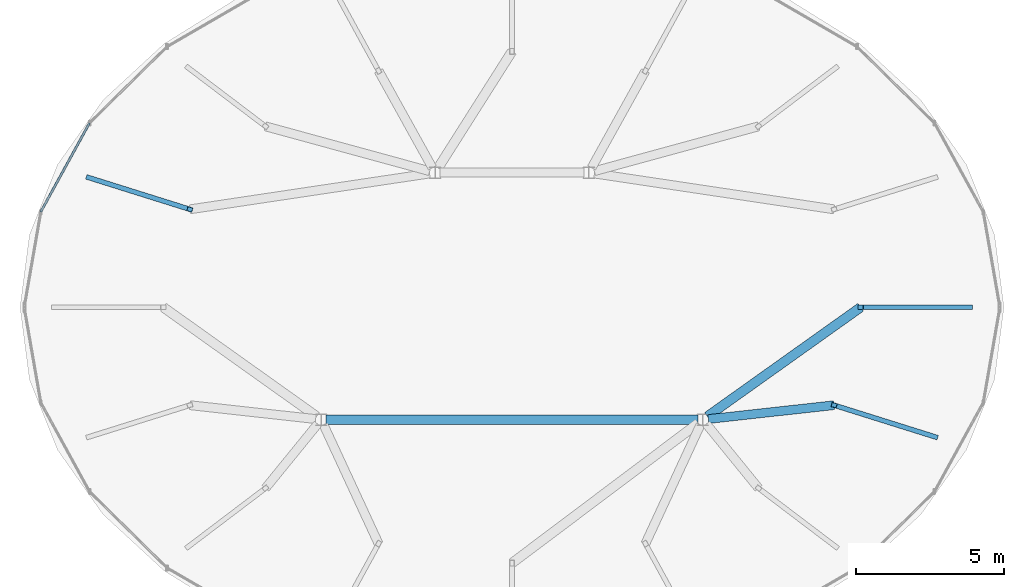
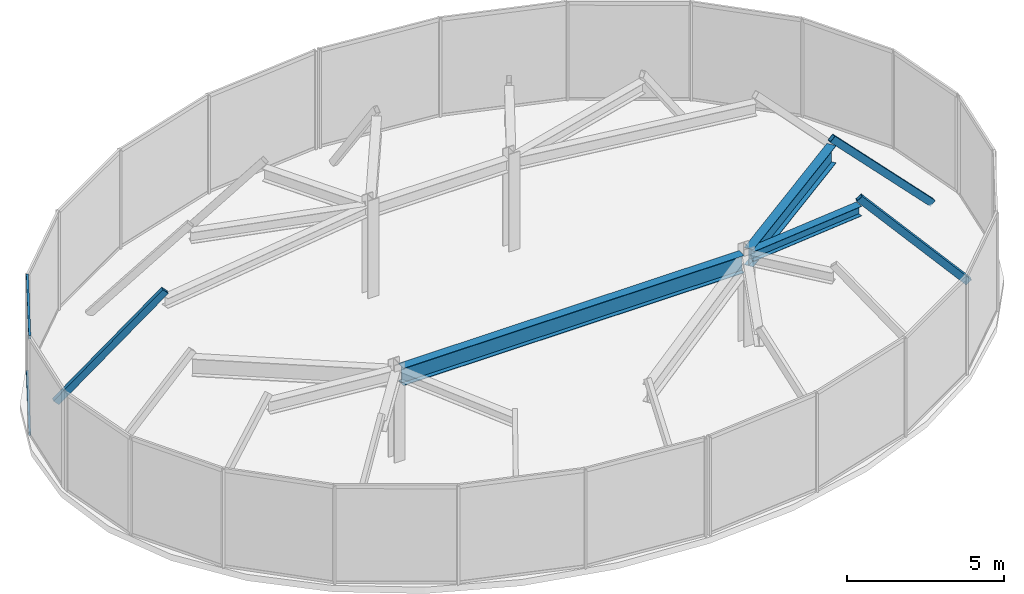
# One storey, part 7 of 13: 5 members, 3 beams, 1 element without a shape of its own.
"""IFC4 building model written with IfcOpenShell, lengths in metres."""

import ifcopenshell
import ifcopenshell.guid

model = None  # the IFC model being written
_history = None  # IfcOwnerHistory: only IFC2X3 demands one
_inside = {}  # id of a spatial element -> (the spatial element, [elements in it])
_under = {}  # id of a project, library or spatial element -> (it, [spatial elements below it])
_declared = {}  # id of a project -> (the project, [libraries it declares])
_typed = {}  # id of a type object -> (the type object, [elements of that type])
_made_of = {}  # id of a material, layer set ... -> (it, [elements and type objects made of it])


def new_model(schema):
    """Start an empty IFC model of exactly this schema.

    Asked for "IFC4X3", IfcOpenShell would pick the latest addendum, in which some entities
    have other attributes; the version numbers below select the first issue.
    IFC2X3 requires an IfcOwnerHistory on every rooted entity: one is made here for all.
    """
    global model, _history
    if schema == "IFC4X3":
        model = ifcopenshell.file(schema_version=(4, 3, 0, 0))
    else:
        model = ifcopenshell.file(schema=schema)
    _inside.clear()
    _under.clear()
    _declared.clear()
    _typed.clear()
    _made_of.clear()
    _history = None
    if model.schema == "IFC2X3":
        org = make("IfcOrganization", Name="unknown")
        user = make(
            "IfcPersonAndOrganization",
            ThePerson=make("IfcPerson", FamilyName="unknown"),
            TheOrganization=org,
        )
        app = make(
            "IfcApplication",
            ApplicationDeveloper=org,
            Version="unknown",
            ApplicationFullName="unknown",
            ApplicationIdentifier="unknown",
        )
        _history = make(
            "IfcOwnerHistory",
            OwningUser=user,
            OwningApplication=app,
            ChangeAction="ADDED",
            CreationDate=0,
        )
    return model


def make(cls, **values):
    """One entity of the class cls with the attributes given. An attribute that is None is left unset."""
    return model.create_entity(
        cls, **{name: value for name, value in values.items() if value is not None}
    )


def rooted(cls, **values):
    """An entity with a GlobalId (a new one), such as an element, a storey or a relation."""
    return make(cls, GlobalId=ifcopenshell.guid.new(), OwnerHistory=_history, **values)


def si_unit(unit_type, name, prefix=None):
    """IfcSIUnit, for example si_unit("LENGTHUNIT", "METRE", prefix="MILLI")."""
    return make("IfcSIUnit", UnitType=unit_type, Prefix=prefix, Name=name)


def assignment(units):
    """IfcUnitAssignment: the units of a project."""
    return None if units is None else make("IfcUnitAssignment", Units=units)


def point(xyz):
    """IfcCartesianPoint."""
    return None if xyz is None else make("IfcCartesianPoint", Coordinates=xyz)


def direction(xyz):
    """IfcDirection."""
    return None if xyz is None else make("IfcDirection", DirectionRatios=xyz)


def frame(location, z_axis=None, x_axis=None):
    """IfcAxis2Placement3D, a coordinate frame: its origin and axes. An axis left out is left unset."""
    return make(
        "IfcAxis2Placement3D",
        Location=point(location),
        Axis=direction(z_axis),
        RefDirection=direction(x_axis),
    )


def frame_2d(location, x_axis=None):
    """IfcAxis2Placement2D, a coordinate frame in the plane: its origin and x axis."""
    return make(
        "IfcAxis2Placement2D", Location=point(location), RefDirection=direction(x_axis)
    )


def origin():
    """The frame at (0, 0, 0) with its axes left unset."""
    return frame((0.0, 0.0, 0.0))


def origin_2d():
    """The frame at (0, 0) in the plane with its x axis left unset."""
    return frame_2d((0.0, 0.0))


def place(relative_to, where):
    """IfcLocalPlacement: puts the frame where relative to a parent placement (None: the world)."""
    return make(
        "IfcLocalPlacement", PlacementRelTo=relative_to, RelativePlacement=where
    )


def context(
    kind, dimensions, precision=None, world=None, true_north=None, identifier=None
):
    """IfcGeometricRepresentationContext, for example the 3D "Model" context."""
    return make(
        "IfcGeometricRepresentationContext",
        ContextIdentifier=identifier,
        ContextType=kind,
        CoordinateSpaceDimension=dimensions,
        Precision=precision,
        WorldCoordinateSystem=world,
        TrueNorth=true_north,
    )


def subcontext(parent, identifier, kind, view, scale=None):
    """IfcGeometricRepresentationSubContext, for example "Body" below "Model"."""
    return make(
        "IfcGeometricRepresentationSubContext",
        ContextIdentifier=identifier,
        ContextType=kind,
        ParentContext=parent,
        TargetScale=scale,
        TargetView=view,
    )


def project(units=None, contexts=None):
    """IfcProject with its units and contexts."""
    return rooted(
        "IfcProject",
        Name="project",
        RepresentationContexts=contexts,
        UnitsInContext=assignment(units),
    )


def spatial(cls, under=None, at=None, **own):
    """A site, building, storey or space (cls), placed at a placement, below another one or the project."""
    s = rooted(cls, ObjectPlacement=at, **own)
    if under is not None:
        _under.setdefault(under.id(), (under, []))[1].append(s)
    return s


def profile(cls, at=None, kind="AREA", **sizes):
    """A parametric profile (cls). Its sizes go by their IFC names, for example OverallWidth=200.0."""
    return make(cls, ProfileType=kind, Position=at, **sizes)


def hollow_rectangle(**sizes):
    """IfcRectangleHollowProfileDef."""
    return profile("IfcRectangleHollowProfileDef", **sizes)


def i_section(**sizes):
    """IfcIShapeProfileDef."""
    return profile("IfcIShapeProfileDef", **sizes)


def extrude(swept, where, along, depth):
    """IfcExtrudedAreaSolid: the profile swept, set in the frame where, extruded along a direction by depth."""
    return make(
        "IfcExtrudedAreaSolid",
        SweptArea=swept,
        Position=where,
        ExtrudedDirection=direction(along),
        Depth=depth,
    )


def shape(context_of_items, identifier, shape_type, items):
    """IfcShapeRepresentation: the items that make up one representation, for example the "Body"."""
    return make(
        "IfcShapeRepresentation",
        ContextOfItems=context_of_items,
        RepresentationIdentifier=identifier,
        RepresentationType=shape_type,
        Items=items,
    )


def material(Name=None, Category=None):
    """IfcMaterial."""
    return make("IfcMaterial", Name=Name, Category=Category)


def material_profile(
    of_material, cross_section, Name=None, Category=None, Priority=None
):
    """IfcMaterialProfile: a cross section and its material."""
    return make(
        "IfcMaterialProfile",
        Name=Name,
        Material=of_material,
        Profile=cross_section,
        Priority=Priority,
        Category=Category,
    )


def profile_set(profiles, Name=None, composite=None):
    """IfcMaterialProfileSet."""
    return make(
        "IfcMaterialProfileSet",
        Name=Name,
        MaterialProfiles=profiles,
        CompositeProfile=composite,
    )


def made_of(thing, what):
    """Note that an element or type object is made of a material, layer set ...; save() writes the relation."""
    if what is not None:
        _made_of.setdefault(what.id(), (what, []))[1].append(thing)
    return thing


def type_object(cls, material=None, **own):
    """A type object (cls), such as IfcWallType, which elements share."""
    return made_of(rooted(cls, **own), material)


def element(
    cls,
    number,
    at=None,
    inside=None,
    cuts=None,
    type_object=None,
    material=None,
    context=None,
    identifier="Body",
    shape_type=None,
    held_by="IfcProductDefinitionShape",
    body=None,
    shapes=None,
    **own,
):
    """One element of the class cls, such as IfcWall. Its Tag is "e" and its number.

    at: its placement. inside: the storey or other place that contains it. cuts: it is an
    opening in that element (IfcRelVoidsElement). A single representation is given by context,
    identifier, shape_type and body (its items); several are given by shapes. held_by: the class
    of the entity that holds the representations. save() writes the other relations.
    """
    e = rooted(cls, Tag="e%d" % number, ObjectPlacement=at, **own)
    if body is not None:
        shapes = [shape(context, identifier, shape_type, body)]
    if shapes is not None:
        e.Representation = make(held_by, Representations=shapes)
    if inside is not None:
        _inside.setdefault(inside.id(), (inside, []))[1].append(e)
    if cuts is not None:
        rooted(
            "IfcRelVoidsElement", RelatingBuildingElement=cuts, RelatedOpeningElement=e
        )
    if type_object is not None:
        _typed.setdefault(type_object.id(), (type_object, []))[1].append(e)
    return made_of(e, material)


def aggregate(whole, parts):
    """IfcRelAggregates: a whole, such as a stair, and the parts it consists of."""
    return rooted("IfcRelAggregates", RelatingObject=whole, RelatedObjects=parts)


def save(model, path):
    """Write the relations noted so far, then the file.

    IfcRelAggregates (storeys below a building ...), IfcRelContainedInSpatialStructure (elements
    in a storey), IfcRelDefinesByType, IfcRelAssociatesMaterial and IfcRelDeclares: one each for
    every whole, place, type object, material and project.
    """
    for whole, parts in _under.values():
        aggregate(whole, parts)
    for where, things in _inside.values():
        rooted(
            "IfcRelContainedInSpatialStructure",
            RelatedElements=things,
            RelatingStructure=where,
        )
    for kind, things in _typed.values():
        rooted("IfcRelDefinesByType", RelatedObjects=things, RelatingType=kind)
    for what, things in _made_of.values():
        rooted("IfcRelAssociatesMaterial", RelatedObjects=things, RelatingMaterial=what)
    for by, libraries in _declared.values():
        rooted("IfcRelDeclares", RelatingContext=by, RelatedDefinitions=libraries)
    model.write(path)


model = new_model("IFC4")

# Units and contexts
model_context = context("Model", 3, precision=1e-05, world=origin(), true_north=direction((0.0, 1.0)))
body_context = subcontext(model_context, "Body", "Model", "MODEL_VIEW")
ifc_project = project(units=[si_unit("LENGTHUNIT", "METRE"), si_unit("AREAUNIT", "SQUARE_METRE"), si_unit("VOLUMEUNIT", "CUBIC_METRE"), si_unit("PLANEANGLEUNIT", "RADIAN"), si_unit("MASSUNIT", "GRAM", prefix="KILO")], contexts=[model_context])

# Site, building, storey
site_placement = place(None, origin())
site = spatial("IfcSite", under=ifc_project, at=site_placement, CompositionType="ELEMENT")
building_placement = place(site_placement, origin())
building = spatial("IfcBuilding", under=site, at=building_placement, Name="Vorneva Point Tower", CompositionType="ELEMENT")
storey_placement = place(building_placement, frame((0.0, 0.0, 303.0)))
storey = spatial("IfcBuildingStorey", under=building, at=storey_placement, Name="C03", CompositionType="ELEMENT", Elevation=303.0)

# Beams
ifc_material_1 = material(Name="Steel S355", Category="steel")
ifc_material_profile_1 = material_profile(ifc_material_1, i_section(OverallWidth=0.299072265625, OverallDepth=0.383056640625, WebThickness=0.009521484375, FlangeThickness=0.012451171875, at=origin_2d()), Name="40Sh1")
ifc_profile_set_1 = profile_set([ifc_material_profile_1], Name="Steel S355")
beam_type_1 = type_object("IfcBeamType", Name="BM-GRD-40Sh1", PredefinedType="USERDEFINED", material=ifc_profile_set_1)
beam_1_placement = place(storey_placement, frame((48.888916015625, 22.689697265625, 3.3583984375), z_axis=(-0.993966316977, -0.109685736151, 0.0), x_axis=(0.109685736151, -0.993966316977, 0.0)))
element("IfcBeam", 1, at=beam_1_placement, inside=storey, type_object=beam_type_1, Name="C03 Radial Primary Girder 16", ObjectType="GIRDER", PredefinedType="USERDEFINED", context=body_context, shape_type="SweptSolid", body=[
    extrude(i_section(OverallWidth=0.299072265625, OverallDepth=0.383056640625, WebThickness=0.009521484375, FlangeThickness=0.012451171875, at=origin_2d()), origin(), (0.0, 0.0, 1.0), 4.27587890625),
])
ifc_material_profile_2 = material_profile(ifc_material_1, i_section(OverallWidth=0.320068359375, OverallDepth=0.68310546875, WebThickness=0.012939453125, FlangeThickness=0.01904296875, at=origin_2d()), Name="70Sh1")
ifc_profile_set_2 = profile_set([ifc_material_profile_2], Name="Steel S355")
beam_type_2 = type_object("IfcBeamType", Name="BM-GRD-70Sh1", PredefinedType="USERDEFINED", material=ifc_profile_set_2)
beam_2_placement = place(storey_placement, frame((49.785888671875, 26.0, 3.20849609375), z_axis=(-0.814559952044, -0.58007937778, 0.0), x_axis=(0.58007937778, -0.814559952044, 0.0)))
element("IfcBeam", 2, at=beam_2_placement, inside=storey, type_object=beam_type_2, Name="C03 Radial Primary Girder 01", ObjectType="GIRDER", PredefinedType="USERDEFINED", context=body_context, shape_type="SweptSolid", body=[
    extrude(i_section(OverallWidth=0.320068359375, OverallDepth=0.68310546875, WebThickness=0.012939453125, FlangeThickness=0.01904296875, at=origin_2d()), origin(), (0.0, 0.0, 1.0), 6.360595703125),
])
beam_3_placement = place(storey_placement, frame((31.719970703125, 22.199951171875, 3.20849609375), z_axis=(1.0, 0.0, 0.0), x_axis=(0.0, 1.0, 0.0)))
element("IfcBeam", 3, at=beam_3_placement, inside=storey, type_object=beam_type_2, Name="C03 Core Tie Girder CT1", ObjectType="GIRDER", PredefinedType="USERDEFINED", context=body_context, shape_type="SweptSolid", body=[
    extrude(i_section(OverallWidth=0.320068359375, OverallDepth=0.68310546875, WebThickness=0.012939453125, FlangeThickness=0.01904296875, at=origin_2d()), origin(), (0.0, 0.0, 1.0), 12.56005859375),
])

# Curtain wall, members
ifc_material_2 = material(Name="Pale anodised aluminium", Category="aluminium")
curtain_wall_type = type_object("IfcCurtainWallType", Name="CW-CRN-SYS", PredefinedType="NOTDEFINED", material=ifc_material_2)
curtain_wall_placement = place(storey_placement, origin())
curtain_wall = element("IfcCurtainWall", 4, at=curtain_wall_placement, inside=storey, type_object=curtain_wall_type, Name="C03 Unitised Curtain Wall CW-C03-Q2", PredefinedType="NOTDEFINED")
ifc_material_profile_3 = material_profile(ifc_material_2, hollow_rectangle(XDim=0.074951171875, YDim=0.14990234375, WallThickness=0.00390625, at=origin_2d()), Name="AL-TRN 150x75x4")
ifc_profile_set_3 = profile_set([ifc_material_profile_3], Name="Pale anodised aluminium")
member_type_1 = type_object("IfcMemberType", Name="CW-TRN-150", PredefinedType="USERDEFINED", material=ifc_profile_set_3)
member_1_placement = place(storey_placement, frame((23.717529296875, 32.22998046875, 0.02001953125), z_axis=(-0.480717770532, -0.876875376034, 0.0), x_axis=(0.876875376034, -0.480717770532, 0.0)))
member_1 = element("IfcMember", 5, at=member_1_placement, type_object=member_type_1, Name="CW-C03-Q2 Transom 05.1", ObjectType="TRANSOM", PredefinedType="USERDEFINED", context=body_context, shape_type="SweptSolid", body=[
    extrude(hollow_rectangle(XDim=0.074951171875, YDim=0.14990234375, WallThickness=0.00390625, at=origin_2d()), origin(), (0.0, 0.0, 1.0), 3.427001953125),
])
member_2_placement = place(storey_placement, frame((23.717529296875, 32.22998046875, 3.780029296875), z_axis=(-0.480717770532, -0.876875376034, 0.0), x_axis=(0.876875376034, -0.480717770532, 0.0)))
member_2 = element("IfcMember", 6, at=member_2_placement, type_object=member_type_1, Name="CW-C03-Q2 Transom 05.2", ObjectType="TRANSOM", PredefinedType="USERDEFINED", context=body_context, shape_type="SweptSolid", body=[
    extrude(hollow_rectangle(XDim=0.074951171875, YDim=0.14990234375, WallThickness=0.00390625, at=origin_2d()), origin(), (0.0, 0.0, 1.0), 3.427001953125),
])
aggregate(curtain_wall, [member_1, member_2])

# Members
ifc_material_profile_4 = material_profile(ifc_material_1, hollow_rectangle(XDim=0.159912109375, YDim=0.25, WallThickness=0.010009765625, at=origin_2d()), Name="PP 250x160x10")
ifc_profile_set_4 = profile_set([ifc_material_profile_4], Name="Steel S355")
member_type_2 = type_object("IfcMemberType", Name="MBR-CRN-PP250", PredefinedType="CHORD", material=ifc_profile_set_4)
member_3_placement = place(storey_placement, frame((53.48193359375, 26.0, 0.0), z_axis=(-0.697228984298, 0.0, 0.716848480124), x_axis=(0.0, -1.0, 0.0)))
element("IfcMember", 7, at=member_3_placement, inside=storey, type_object=member_type_2, Name="Crown Tapered Frame Rib C03-01", PredefinedType="CHORD", context=body_context, shape_type="SweptSolid", body=[
    extrude(hollow_rectangle(XDim=0.159912109375, YDim=0.25, WallThickness=0.010009765625, at=origin_2d()), origin(), (0.0, 0.0, 1.0), 5.301025390625),
])
for number, where, z_axis, x_axis, name in (
    (8, (23.696533203125, 30.381591796875, 0.0), (0.654143045679, -0.20523235267, 0.727994888174), (0.299354688217, 0.954141902781, 0.0), "Crown Tapered Frame Rib C03-08"),
    (9, (52.303466796875, 21.618408203125, 0.0), (-0.654143045679, 0.20523235267, 0.727994888174), (-0.299354688217, -0.954141902781, 0.0), "Crown Tapered Frame Rib C03-16"),
):
    element("IfcMember", number, at=place(storey_placement, frame(where, z_axis=z_axis, x_axis=x_axis)), inside=storey, type_object=member_type_2, Name=name, PredefinedType="CHORD", context=body_context, shape_type="SweptSolid", body=[
        extrude(hollow_rectangle(XDim=0.159912109375, YDim=0.25, WallThickness=0.010009765625, at=origin_2d()), origin(), (0.0, 0.0, 1.0), 5.219970703125),
    ])

save(model, "model.ifc")
